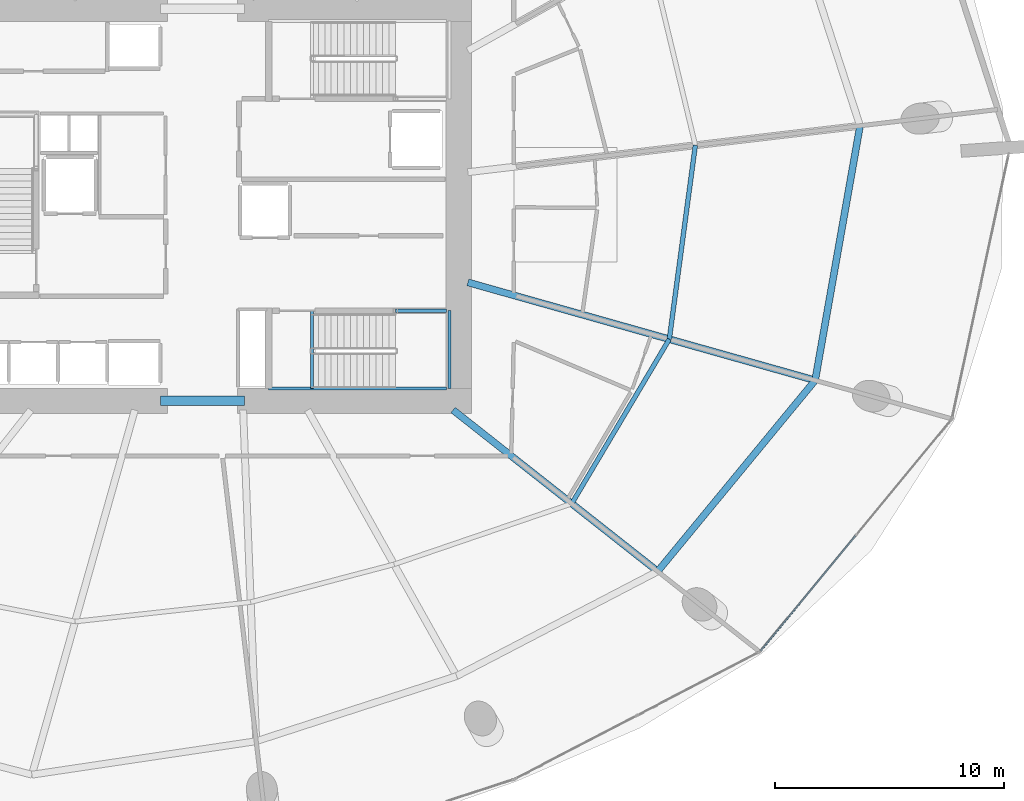
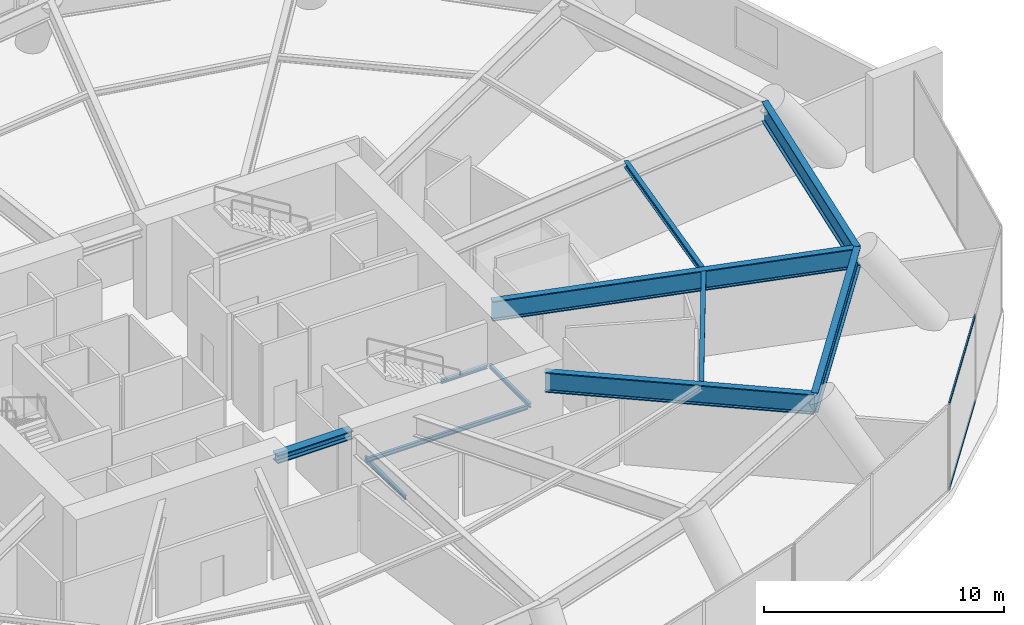
# One storey, part 10 of 21: 11 beams, 2 members, 1 element without a shape of its own.
"""IFC4 building model written with IfcOpenShell, lengths in metres."""

from ifc_helpers import new_model, si_unit, direction, frame, origin, origin_2d, place, context, subcontext, project, spatial, rectangle, i_section, extrude, material, layer, layer_set, material_profile, profile_set, type_object, element, aggregate, save


model = new_model("IFC4")

# Units and contexts
model_context = context("Model", 3, precision=1e-05, world=origin(), true_north=direction((0.0, 1.0)))
body_context = subcontext(model_context, "Body", "Model", "MODEL_VIEW")
ifc_project = project(units=[si_unit("LENGTHUNIT", "METRE"), si_unit("AREAUNIT", "SQUARE_METRE"), si_unit("VOLUMEUNIT", "CUBIC_METRE"), si_unit("PLANEANGLEUNIT", "RADIAN"), si_unit("MASSUNIT", "GRAM", prefix="KILO")], contexts=[model_context])

# Site, building, storey
site_placement = place(None, origin())
site = spatial("IfcSite", under=ifc_project, at=site_placement, CompositionType="ELEMENT")
building_placement = place(site_placement, origin())
building = spatial("IfcBuilding", under=site, at=building_placement, Name="Kazma Halo Residences", CompositionType="ELEMENT")
storey_placement = place(building_placement, frame((0.0, 0.0, 21.60009765625)))
storey = spatial("IfcBuildingStorey", under=building, at=storey_placement, Name="L04", CompositionType="ELEMENT", Elevation=21.60009765625)

# Beams
ifc_material_1 = material(Name="Steel S355", Category="steel")
ifc_material_profile_1 = material_profile(ifc_material_1, i_section(OverallWidth=0.408935546875, OverallDepth=0.425048828125, WebThickness=0.03271484375, FlangeThickness=0.052490234375, FilletRadius=0.02001953125, at=origin_2d()), Name="W360x421")
ifc_profile_set_1 = profile_set([ifc_material_profile_1], Name="Steel S355")
beam_type_1 = type_object("IfcBeamType", Name="BM-CORE-W360H", PredefinedType="BEAM", material=ifc_profile_set_1)
beam_1_placement = place(storey_placement, frame((46.60009765625, 33.449951171875, 4.1875), z_axis=(1.0, 0.0, 0.0), x_axis=(0.0, 1.0, 0.0)))
element("IfcBeam", 1, at=beam_1_placement, inside=storey, type_object=beam_type_1, Name="L04 core coupling beam S", PredefinedType="BEAM", context=body_context, shape_type="SweptSolid", body=[
    extrude(i_section(OverallWidth=0.408935546875, OverallDepth=0.425048828125, WebThickness=0.03271484375, FlangeThickness=0.052490234375, FilletRadius=0.02001953125, at=origin_2d()), origin(), (0.0, 0.0, 1.0), 3.64990234375),
])
ifc_material_profile_2 = material_profile(ifc_material_1, i_section(OverallWidth=0.202880859375, OverallDepth=0.302978515625, WebThickness=0.007568359375, FlangeThickness=0.01318359375, FilletRadius=0.013916015625, at=origin_2d()), Name="W310x60")
ifc_profile_set_2 = profile_set([ifc_material_profile_2], Name="Steel S355")
beam_type_2 = type_object("IfcBeamType", Name="BM-SEC-W310A", PredefinedType="JOIST", material=ifc_profile_set_2)
beam_2_placement = place(storey_placement, frame((64.5283203125, 28.97021484375, 4.248291015625), z_axis=(0.510272781478, 0.86001260949, 0.0), x_axis=(-0.86001260949, 0.510272781478, 0.0)))
element("IfcBeam", 2, at=beam_2_placement, inside=storey, type_object=beam_type_2, Name="L04 circumferential floor joist 14", PredefinedType="JOIST", context=body_context, shape_type="SweptSolid", body=[
    extrude(i_section(OverallWidth=0.202880859375, OverallDepth=0.302978515625, WebThickness=0.007568359375, FlangeThickness=0.01318359375, FilletRadius=0.013916015625, at=origin_2d()), origin(), (0.0, 0.0, 1.0), 8.335693359375),
])
beam_3_placement = place(storey_placement, frame((68.78173828125, 36.138916015625, 4.248291015625), z_axis=(0.133046586686, 0.991109784924, 0.0), x_axis=(-0.991109784924, 0.133046586686, 0.0)))
element("IfcBeam", 3, at=beam_3_placement, inside=storey, type_object=beam_type_2, Name="L04 circumferential floor joist 15", PredefinedType="JOIST", context=body_context, shape_type="SweptSolid", body=[
    extrude(i_section(OverallWidth=0.202880859375, OverallDepth=0.302978515625, WebThickness=0.007568359375, FlangeThickness=0.01318359375, FilletRadius=0.013916015625, at=origin_2d()), origin(), (0.0, 0.0, 1.0), 8.531005859375),
])
ifc_material_profile_3 = material_profile(ifc_material_1, i_section(OverallWidth=0.302001953125, OverallDepth=1.01806640625, WebThickness=0.021484375, FlangeThickness=0.049072265625, FilletRadius=0.028076171875, at=origin_2d()), Name="W1000x443")
ifc_profile_set_3 = profile_set([ifc_material_profile_3], Name="Steel S355")
beam_type_3 = type_object("IfcBeamType", Name="BM-TRANS-W1000A", PredefinedType="BEAM", material=ifc_profile_set_3)
beam_4_placement = place(storey_placement, frame((59.35302734375, 33.050048828125, 3.890869140625), z_axis=(0.785318184613, -0.619092358955, 0.0), x_axis=(0.619092358955, 0.785318184613, 0.0)))
element("IfcBeam", 4, at=beam_4_placement, inside=storey, type_object=beam_type_3, Name="L04 podium radial transfer girder 14", PredefinedType="BEAM", context=body_context, shape_type="SweptSolid", body=[
    extrude(i_section(OverallWidth=0.302001953125, OverallDepth=1.01806640625, WebThickness=0.021484375, FlangeThickness=0.049072265625, FilletRadius=0.028076171875, at=origin_2d()), origin(), (0.0, 0.0, 1.0), 11.362060546875),
])
beam_5_placement = place(storey_placement, frame((60.0, 38.615478515625, 3.890869140625), z_axis=(0.962457680933, -0.271431782245, 0.0), x_axis=(0.271431782245, 0.962457680933, 0.0)))
element("IfcBeam", 5, at=beam_5_placement, inside=storey, type_object=beam_type_3, Name="L04 podium radial transfer girder 15", PredefinedType="BEAM", context=body_context, shape_type="SweptSolid", body=[
    extrude(i_section(OverallWidth=0.302001953125, OverallDepth=1.01806640625, WebThickness=0.021484375, FlangeThickness=0.049072265625, FilletRadius=0.028076171875, at=origin_2d()), origin(), (0.0, 0.0, 1.0), 15.7314453125),
])
ifc_material_profile_4 = material_profile(ifc_material_1, i_section(OverallWidth=0.300048828125, OverallDepth=1.0, WebThickness=0.01904296875, FlangeThickness=0.0400390625, FilletRadius=0.02587890625, at=origin_2d()), Name="W1000x371")
ifc_profile_set_4 = profile_set([ifc_material_profile_4], Name="Steel S355")
beam_type_4 = type_object("IfcBeamType", Name="BM-TRANS-W1000B", PredefinedType="BEAM", material=ifc_profile_set_4)
beam_6_placement = place(storey_placement, frame((68.27587890625, 26.015869140625, 3.89990234375), z_axis=(0.636001336663, 0.771687954916, 0.0), x_axis=(-0.771687954916, 0.636001336663, 0.0)))
element("IfcBeam", 6, at=beam_6_placement, inside=storey, type_object=beam_type_4, Name="L04 perimeter ring beam 14", PredefinedType="BEAM", context=body_context, shape_type="SweptSolid", body=[
    extrude(i_section(OverallWidth=0.300048828125, OverallDepth=1.0, WebThickness=0.01904296875, FlangeThickness=0.0400390625, FilletRadius=0.02587890625, at=origin_2d()), origin(), (0.0, 0.0, 1.0), 10.7939453125),
])
beam_7_placement = place(storey_placement, frame((75.140869140625, 34.345458984375, 3.89990234375), z_axis=(0.173651864005, 0.984807103004, 0.0), x_axis=(-0.984807103004, 0.173651864005, 0.0)))
element("IfcBeam", 7, at=beam_7_placement, inside=storey, type_object=beam_type_4, Name="L04 perimeter ring beam 15", PredefinedType="BEAM", context=body_context, shape_type="SweptSolid", body=[
    extrude(i_section(OverallWidth=0.300048828125, OverallDepth=1.0, WebThickness=0.01904296875, FlangeThickness=0.0400390625, FilletRadius=0.02587890625, at=origin_2d()), origin(), (0.0, 0.0, 1.0), 11.269775390625),
])
ifc_material_profile_5 = material_profile(ifc_material_1, i_section(OverallWidth=0.133056640625, OverallDepth=0.20703125, WebThickness=0.005859375, FlangeThickness=0.00830078125, FilletRadius=0.010009765625, at=origin_2d()), Name="W200x26.6")
ifc_profile_set_5 = profile_set([ifc_material_profile_5], Name="Steel S355")
beam_type_5 = type_object("IfcBeamType", Name="BM-TRIM-W200", PredefinedType="BEAM", material=ifc_profile_set_5)
beam_8_placement = place(storey_placement, frame((53.199951171875, 34.0, -0.510009765625), z_axis=(0.0, 1.0, 0.0), x_axis=(-1.0, 0.0, 0.0)))
element("IfcBeam", 8, at=beam_8_placement, inside=storey, type_object=beam_type_5, Name="L04 ST-03 floor landing support beam", PredefinedType="BEAM", context=body_context, shape_type="SweptSolid", body=[
    extrude(i_section(OverallWidth=0.133056640625, OverallDepth=0.20703125, WebThickness=0.005859375, FlangeThickness=0.00830078125, FilletRadius=0.010009765625, at=origin_2d()), origin(), (0.0, 0.0, 1.0), 3.3798828125),
])
beam_9_placement = place(storey_placement, frame((51.31005859375, 33.97998046875, 2.094970703125), z_axis=(1.0, 0.0, 0.0), x_axis=(0.0, 1.0, 0.0)))
element("IfcBeam", 9, at=beam_9_placement, inside=storey, type_object=beam_type_5, Name="L04 ST-03 landing south wall ledger", PredefinedType="BEAM", context=body_context, shape_type="SweptSolid", body=[
    extrude(i_section(OverallWidth=0.133056640625, OverallDepth=0.20703125, WebThickness=0.005859375, FlangeThickness=0.00830078125, FilletRadius=0.010009765625, at=origin_2d()), origin(), (0.0, 0.0, 1.0), 7.760009765625),
])
beam_10_placement = place(storey_placement, frame((56.840087890625, 37.3798828125, 2.094970703125), z_axis=(1.0, 0.0, 0.0), x_axis=(0.0, 1.0, 0.0)))
element("IfcBeam", 10, at=beam_10_placement, inside=storey, type_object=beam_type_5, Name="L04 ST-03 landing north wall ledger", PredefinedType="BEAM", context=body_context, shape_type="SweptSolid", body=[
    extrude(i_section(OverallWidth=0.133056640625, OverallDepth=0.20703125, WebThickness=0.005859375, FlangeThickness=0.00830078125, FilletRadius=0.010009765625, at=origin_2d()), origin(), (0.0, 0.0, 1.0), 2.22998046875),
])
beam_11_placement = place(storey_placement, frame((59.18994140625, 33.97998046875, 2.094970703125), z_axis=(0.0, 1.0, 0.0), x_axis=(-1.0, 0.0, 0.0)))
element("IfcBeam", 11, at=beam_11_placement, inside=storey, type_object=beam_type_5, Name="L04 ST-03 landing end wall ledger", PredefinedType="BEAM", context=body_context, shape_type="SweptSolid", body=[
    extrude(i_section(OverallWidth=0.133056640625, OverallDepth=0.20703125, WebThickness=0.005859375, FlangeThickness=0.00830078125, FilletRadius=0.010009765625, at=origin_2d()), origin(), (0.0, 0.0, 1.0), 3.39990234375),
])

# Curtain wall, members
ifc_material_2 = material(Name="Aluminium AW-6063 T6 and Triple-Silver Low-E Glass", Category="aluminium")
ifc_layer = layer(ifc_material_2, 0.179931640625)
ifc_layer_set = layer_set([ifc_layer], Name="Aluminium AW-6063 T6 and Triple-Silver Low-E Glass")
curtain_wall_type = type_object("IfcCurtainWallType", Name="CW-SYS-1", PredefinedType="NOTDEFINED", material=ifc_layer_set)
curtain_wall_placement = place(storey_placement, origin())
curtain_wall = element("IfcCurtainWall", 12, at=curtain_wall_placement, inside=storey, type_object=curtain_wall_type, Name="L04 unitised curtain wall B14", PredefinedType="NOTDEFINED")
ifc_material_3 = material(Name="Aluminium AW-6063 T6", Category="aluminium")
ifc_material_profile_6 = material_profile(ifc_material_3, rectangle(XDim=0.06494140625, YDim=0.135009765625, at=origin_2d()), Name="CWT-65x135")
ifc_profile_set_6 = profile_set([ifc_material_profile_6], Name="Aluminium AW-6063 T6")
member_type = type_object("IfcMemberType", Name="CW-SYS-1-TRN", PredefinedType="USERDEFINED", material=ifc_profile_set_6)
member_1_placement = place(storey_placement, frame((72.765625, 22.55908203125, 0.032470703125), z_axis=(0.636593466061, 0.771199558459, 0.0), x_axis=(-0.771199558459, 0.636593466061, 0.0)))
member_1 = element("IfcMember", 13, at=member_1_placement, type_object=member_type, Name="CWS-1 transom 1.1", ObjectType="TRANSOM", PredefinedType="USERDEFINED", context=body_context, shape_type="SweptSolid", body=[
    extrude(rectangle(XDim=0.06494140625, YDim=0.135009765625, at=origin_2d()), origin(), (0.0, 0.0, 1.0), 6.48583984375),
])
member_2_placement = place(storey_placement, frame((72.765625, 22.55908203125, 4.367431640625), z_axis=(0.636593466061, 0.771199558459, 0.0), x_axis=(-0.771199558459, 0.636593466061, 0.0)))
member_2 = element("IfcMember", 14, at=member_2_placement, type_object=member_type, Name="CWS-1 transom 1.2", ObjectType="TRANSOM", PredefinedType="USERDEFINED", context=body_context, shape_type="SweptSolid", body=[
    extrude(rectangle(XDim=0.06494140625, YDim=0.135009765625, at=origin_2d()), origin(), (0.0, 0.0, 1.0), 6.48583984375),
])
aggregate(curtain_wall, [member_1, member_2])

save(model, "model.ifc")
